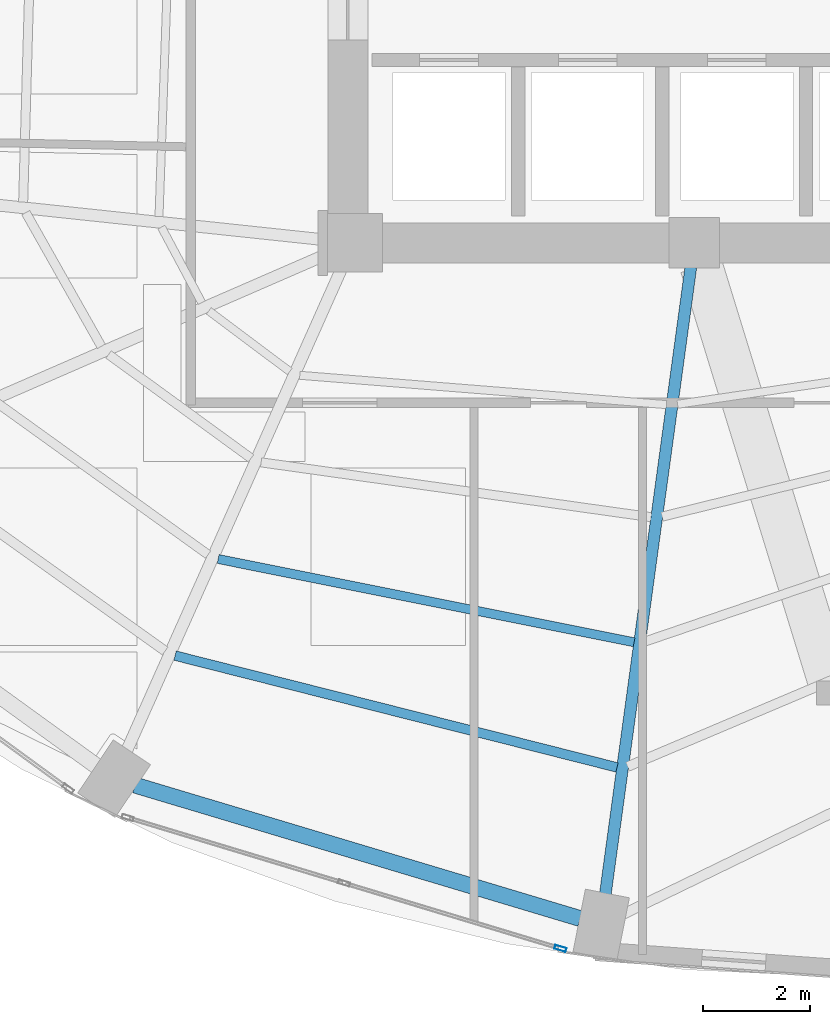
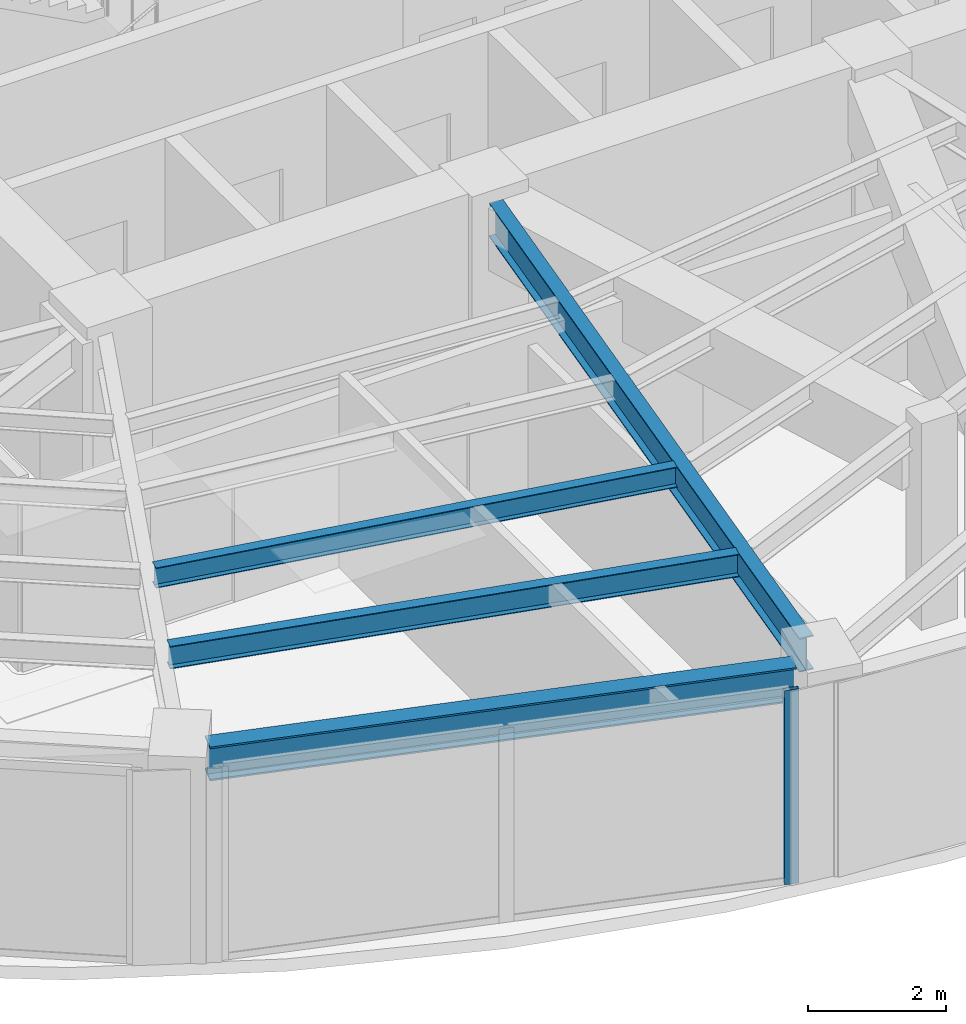
# One storey, part 5 of 24: 4 beams, 1 member, 1 element without a shape of its own.
"""IFC4 building model written with IfcOpenShell, lengths in metres."""

from ifc_helpers import new_model, si_unit, direction, frame, origin, origin_2d, place, context, subcontext, project, spatial, hollow_rectangle, i_section, extrude, material, layer, layer_set, material_profile, profile_set, type_object, element, aggregate, save


model = new_model("IFC4")

# Units and contexts
model_context = context("Model", 3, precision=1e-05, world=origin(), true_north=direction((0.0, 1.0)))
body_context = subcontext(model_context, "Body", "Model", "MODEL_VIEW")
ifc_project = project(units=[si_unit("LENGTHUNIT", "METRE"), si_unit("AREAUNIT", "SQUARE_METRE"), si_unit("VOLUMEUNIT", "CUBIC_METRE"), si_unit("PLANEANGLEUNIT", "RADIAN"), si_unit("MASSUNIT", "GRAM", prefix="KILO")], contexts=[model_context])

# Site, building, storey
site_placement = place(None, origin())
site = spatial("IfcSite", under=ifc_project, at=site_placement, CompositionType="ELEMENT")
building_placement = place(site_placement, origin())
building = spatial("IfcBuilding", under=site, at=building_placement, Name="Lazwardi Medical Tower", CompositionType="ELEMENT")
storey_placement = place(building_placement, frame((0.0, 0.0, 110.927978515625)))
storey = spatial("IfcBuildingStorey", under=building, at=storey_placement, Name="L28", CompositionType="ELEMENT", Elevation=110.927978515625)

# Beams
ifc_material_1 = material(Name="Steel S355", Category="steel")
ifc_material_profile_1 = material_profile(ifc_material_1, i_section(OverallWidth=0.300048828125, OverallDepth=0.60009765625, WebThickness=0.015380859375, FlangeThickness=0.030029296875, at=origin_2d()), Name="HEB 600")
ifc_profile_set_1 = profile_set([ifc_material_profile_1], Name="Steel S355")
beam_type_1 = type_object("IfcBeamType", Name="BM-RB-Z2", PredefinedType="BEAM", material=ifc_profile_set_1)
beam_1_placement = place(storey_placement, frame((22.30908203125, 10.224609375, 3.1279296875), z_axis=(0.957879438442, -0.287170648587, 0.0), x_axis=(0.287170648587, 0.957879438442, 0.0)))
element("IfcBeam", 1, at=beam_1_placement, inside=storey, type_object=beam_type_1, Name="Ring beam RB-03 B15 L28", PredefinedType="BEAM", context=body_context, shape_type="SweptSolid", body=[
    extrude(i_section(OverallWidth=0.300048828125, OverallDepth=0.60009765625, WebThickness=0.015380859375, FlangeThickness=0.030029296875, at=origin_2d()), origin(), (0.0, 0.0, 1.0), 8.719970703125),
])
ifc_material_profile_2 = material_profile(ifc_material_1, i_section(OverallWidth=0.219970703125, OverallDepth=0.60009765625, WebThickness=0.011962890625, FlangeThickness=0.01904296875, at=origin_2d()), Name="IPE 600")
ifc_profile_set_2 = profile_set([ifc_material_profile_2], Name="Steel S355")
beam_type_2 = type_object("IfcBeamType", Name="BM-RG-W1", PredefinedType="BEAM", material=ifc_profile_set_2)
beam_2_placement = place(storey_placement, frame((31.1328125, 8.17724609375, 3.1279296875), z_axis=(0.135147148002, 0.990825538825, 0.0), x_axis=(-0.990825538825, 0.135147148002, 0.0)))
element("IfcBeam", 2, at=beam_2_placement, inside=storey, type_object=beam_type_2, Name="Radial girder RG-02 R16 L28", PredefinedType="BEAM", context=body_context, shape_type="SweptSolid", body=[
    extrude(i_section(OverallWidth=0.219970703125, OverallDepth=0.60009765625, WebThickness=0.011962890625, FlangeThickness=0.01904296875, at=origin_2d()), origin(), (0.0, 0.0, 1.0), 11.875732421875),
])
ifc_material_profile_3 = material_profile(ifc_material_1, i_section(OverallWidth=0.179931640625, OverallDepth=0.39990234375, WebThickness=0.008544921875, FlangeThickness=0.013427734375, at=origin_2d()), Name="IPE 400")
ifc_profile_set_3 = profile_set([ifc_material_profile_3], Name="Steel S355")
beam_type_3 = type_object("IfcBeamType", Name="BM-SJ-01", PredefinedType="JOIST", material=ifc_profile_set_3)
beam_3_placement = place(storey_placement, frame((23.060302734375, 12.654296875, 3.22802734375), z_axis=(0.96945186753, -0.245281626997, 0.0), x_axis=(0.245281626997, 0.96945186753, 0.0)))
element("IfcBeam", 3, at=beam_3_placement, inside=storey, type_object=beam_type_3, Name="Secondary joist SJ-01 R1 B15 L28", PredefinedType="JOIST", context=body_context, shape_type="SweptSolid", body=[
    extrude(i_section(OverallWidth=0.179931640625, OverallDepth=0.39990234375, WebThickness=0.008544921875, FlangeThickness=0.013427734375, at=origin_2d()), origin(), (0.0, 0.0, 1.0), 8.552978515625),
])
ifc_material_profile_4 = material_profile(ifc_material_1, i_section(OverallWidth=0.169921875, OverallDepth=0.360107421875, WebThickness=0.008056640625, FlangeThickness=0.0126953125, at=origin_2d()), Name="IPE 360")
ifc_profile_set_4 = profile_set([ifc_material_profile_4], Name="Steel S355")
beam_type_4 = type_object("IfcBeamType", Name="BM-SJ-02", PredefinedType="JOIST", material=ifc_profile_set_4)
beam_4_placement = place(storey_placement, frame((23.8671875, 14.46728515625, 3.248046875), z_axis=(0.980542906584, -0.196304886203, 0.0), x_axis=(0.196304886203, 0.980542906584, 0.0)))
element("IfcBeam", 4, at=beam_4_placement, inside=storey, type_object=beam_type_4, Name="Secondary joist SJ-02 R2 B15 L28", PredefinedType="JOIST", context=body_context, shape_type="SweptSolid", body=[
    extrude(i_section(OverallWidth=0.169921875, OverallDepth=0.360107421875, WebThickness=0.008056640625, FlangeThickness=0.0126953125, at=origin_2d()), origin(), (0.0, 0.0, 1.0), 7.95947265625),
])

# Curtain wall, member
ifc_material_2 = material(Name="Anodised bronze aluminium and solar control glazing", Category="aluminium")
ifc_layer = layer(ifc_material_2, 0.195068359375)
ifc_layer_set = layer_set([ifc_layer], Name="Anodised bronze aluminium and solar control glazing")
curtain_wall_type = type_object("IfcCurtainWallType", Name="CW-SYS-03", PredefinedType="NOTDEFINED", material=ifc_layer_set)
curtain_wall_placement = place(storey_placement, origin())
curtain_wall = element("IfcCurtainWall", 5, at=curtain_wall_placement, inside=storey, type_object=curtain_wall_type, Name="L28 Unitised bronze curtain wall CW-03", PredefinedType="NOTDEFINED")
ifc_material_3 = material(Name="Anodised bronze aluminium", Category="aluminium")
ifc_material_profile_5 = material_profile(ifc_material_3, hollow_rectangle(XDim=0.074951171875, YDim=0.219970703125, WallThickness=0.00390625, at=origin_2d()), Name="ALU-MULLION 220x75x4")
ifc_profile_set_5 = profile_set([ifc_material_profile_5], Name="Anodised bronze aluminium")
member_type = type_object("IfcMemberType", Name="CW-MUL-01", PredefinedType="MULLION", material=ifc_profile_set_5)
member_placement = place(storey_placement, frame((30.289794921875, 7.159912109375, 0.0), z_axis=(0.0, 0.0, 1.0), x_axis=(0.28937381157, 0.957216170558, 0.0)))
member = element("IfcMember", 6, at=member_placement, type_object=member_type, Name="CW-03 mullion 3", PredefinedType="MULLION", context=body_context, shape_type="SweptSolid", body=[
    extrude(hollow_rectangle(XDim=0.074951171875, YDim=0.219970703125, WallThickness=0.00390625, at=origin_2d()), origin(), (0.0, 0.0, 1.0), 3.427978515625),
])
aggregate(curtain_wall, [member])

save(model, "model.ifc")
